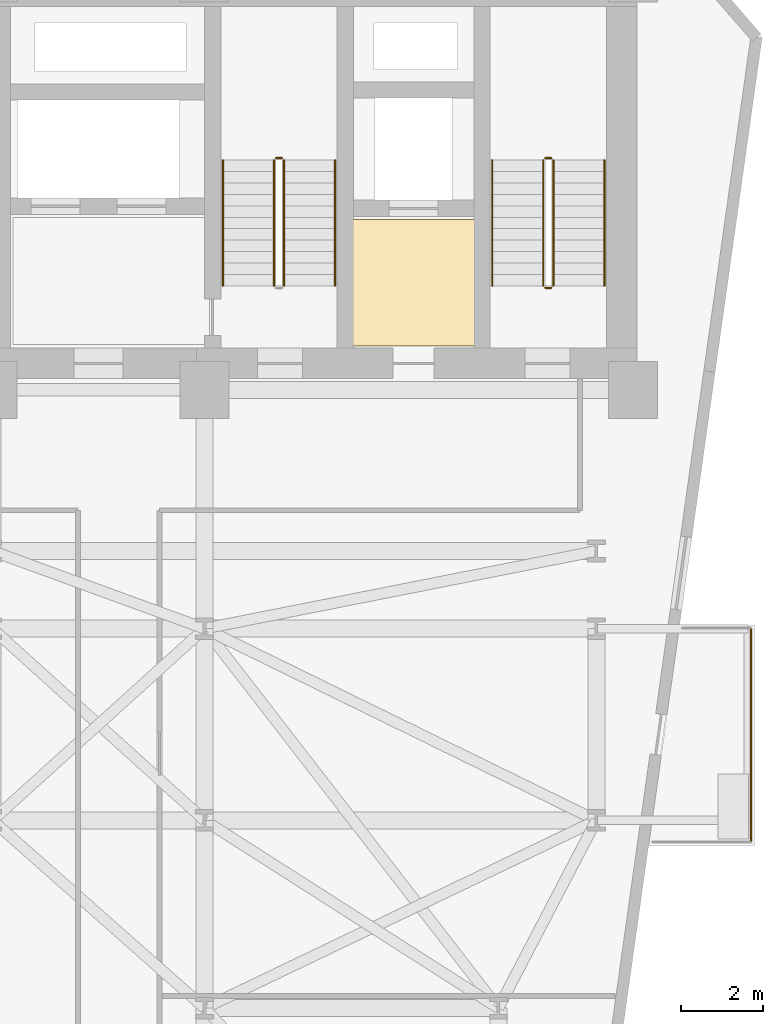
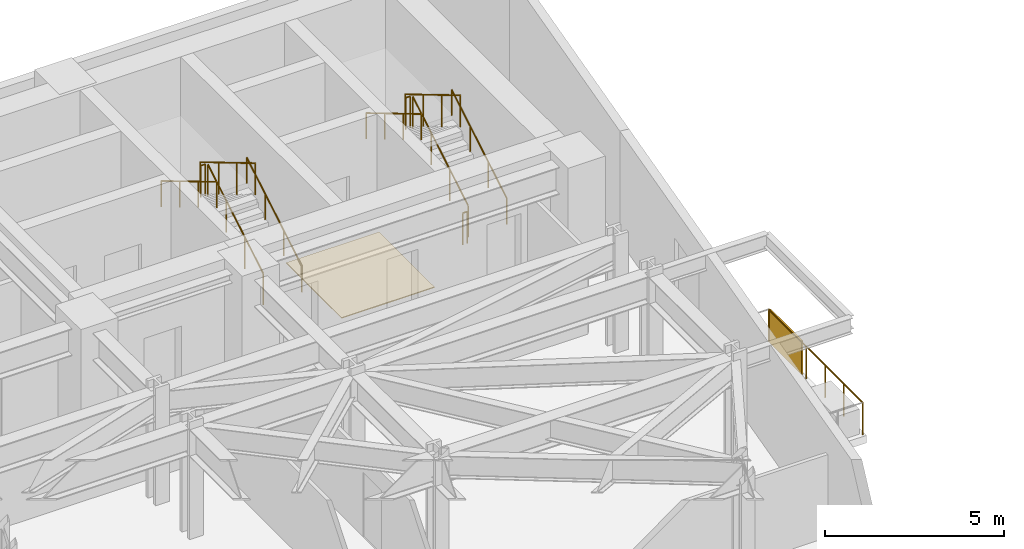
# One storey, part 25 of 25: 12 railings, 1 covering, 1 shading device.
"""IFC4 building model written with IfcOpenShell, lengths in metres."""

import ifcopenshell
import ifcopenshell.guid

model = None  # the IFC model being written
_history = None  # IfcOwnerHistory: only IFC2X3 demands one
_inside = {}  # id of a spatial element -> (the spatial element, [elements in it])
_under = {}  # id of a project, library or spatial element -> (it, [spatial elements below it])
_declared = {}  # id of a project -> (the project, [libraries it declares])
_typed = {}  # id of a type object -> (the type object, [elements of that type])
_made_of = {}  # id of a material, layer set ... -> (it, [elements and type objects made of it])


def new_model(schema):
    """Start an empty IFC model of exactly this schema.

    Asked for "IFC4X3", IfcOpenShell would pick the latest addendum, in which some entities
    have other attributes; the version numbers below select the first issue.
    IFC2X3 requires an IfcOwnerHistory on every rooted entity: one is made here for all.
    """
    global model, _history
    if schema == "IFC4X3":
        model = ifcopenshell.file(schema_version=(4, 3, 0, 0))
    else:
        model = ifcopenshell.file(schema=schema)
    _inside.clear()
    _under.clear()
    _declared.clear()
    _typed.clear()
    _made_of.clear()
    _history = None
    if model.schema == "IFC2X3":
        org = make("IfcOrganization", Name="unknown")
        user = make(
            "IfcPersonAndOrganization",
            ThePerson=make("IfcPerson", FamilyName="unknown"),
            TheOrganization=org,
        )
        app = make(
            "IfcApplication",
            ApplicationDeveloper=org,
            Version="unknown",
            ApplicationFullName="unknown",
            ApplicationIdentifier="unknown",
        )
        _history = make(
            "IfcOwnerHistory",
            OwningUser=user,
            OwningApplication=app,
            ChangeAction="ADDED",
            CreationDate=0,
        )
    return model


def make(cls, **values):
    """One entity of the class cls with the attributes given. An attribute that is None is left unset."""
    return model.create_entity(
        cls, **{name: value for name, value in values.items() if value is not None}
    )


def rooted(cls, **values):
    """An entity with a GlobalId (a new one), such as an element, a storey or a relation."""
    return make(cls, GlobalId=ifcopenshell.guid.new(), OwnerHistory=_history, **values)


def si_unit(unit_type, name, prefix=None):
    """IfcSIUnit, for example si_unit("LENGTHUNIT", "METRE", prefix="MILLI")."""
    return make("IfcSIUnit", UnitType=unit_type, Prefix=prefix, Name=name)


def assignment(units):
    """IfcUnitAssignment: the units of a project."""
    return None if units is None else make("IfcUnitAssignment", Units=units)


def point(xyz):
    """IfcCartesianPoint."""
    return None if xyz is None else make("IfcCartesianPoint", Coordinates=xyz)


def direction(xyz):
    """IfcDirection."""
    return None if xyz is None else make("IfcDirection", DirectionRatios=xyz)


def frame(location, z_axis=None, x_axis=None):
    """IfcAxis2Placement3D, a coordinate frame: its origin and axes. An axis left out is left unset."""
    return make(
        "IfcAxis2Placement3D",
        Location=point(location),
        Axis=direction(z_axis),
        RefDirection=direction(x_axis),
    )


def frame_2d(location, x_axis=None):
    """IfcAxis2Placement2D, a coordinate frame in the plane: its origin and x axis."""
    return make(
        "IfcAxis2Placement2D", Location=point(location), RefDirection=direction(x_axis)
    )


def origin():
    """The frame at (0, 0, 0) with its axes left unset."""
    return frame((0.0, 0.0, 0.0))


def origin_2d():
    """The frame at (0, 0) in the plane with its x axis left unset."""
    return frame_2d((0.0, 0.0))


def place(relative_to, where):
    """IfcLocalPlacement: puts the frame where relative to a parent placement (None: the world)."""
    return make(
        "IfcLocalPlacement", PlacementRelTo=relative_to, RelativePlacement=where
    )


def context(
    kind, dimensions, precision=None, world=None, true_north=None, identifier=None
):
    """IfcGeometricRepresentationContext, for example the 3D "Model" context."""
    return make(
        "IfcGeometricRepresentationContext",
        ContextIdentifier=identifier,
        ContextType=kind,
        CoordinateSpaceDimension=dimensions,
        Precision=precision,
        WorldCoordinateSystem=world,
        TrueNorth=true_north,
    )


def subcontext(parent, identifier, kind, view, scale=None):
    """IfcGeometricRepresentationSubContext, for example "Body" below "Model"."""
    return make(
        "IfcGeometricRepresentationSubContext",
        ContextIdentifier=identifier,
        ContextType=kind,
        ParentContext=parent,
        TargetScale=scale,
        TargetView=view,
    )


def project(units=None, contexts=None):
    """IfcProject with its units and contexts."""
    return rooted(
        "IfcProject",
        Name="project",
        RepresentationContexts=contexts,
        UnitsInContext=assignment(units),
    )


def spatial(cls, under=None, at=None, **own):
    """A site, building, storey or space (cls), placed at a placement, below another one or the project."""
    s = rooted(cls, ObjectPlacement=at, **own)
    if under is not None:
        _under.setdefault(under.id(), (under, []))[1].append(s)
    return s


def polyline(points):
    """IfcPolyline through the points."""
    return make("IfcPolyline", Points=[point(p) for p in points])


def profile(cls, at=None, kind="AREA", **sizes):
    """A parametric profile (cls). Its sizes go by their IFC names, for example OverallWidth=200.0."""
    return make(cls, ProfileType=kind, Position=at, **sizes)


def rectangle(**sizes):
    """IfcRectangleProfileDef."""
    return profile("IfcRectangleProfileDef", **sizes)


def circle(**sizes):
    """IfcCircleProfileDef."""
    return profile("IfcCircleProfileDef", **sizes)


def outline(outer, holes=None, kind="AREA"):
    """IfcArbitraryClosedProfileDef: a profile drawn as a closed curve; with holes, ...WithVoids."""
    if holes is None:
        return make("IfcArbitraryClosedProfileDef", ProfileType=kind, OuterCurve=outer)
    return make(
        "IfcArbitraryProfileDefWithVoids",
        ProfileType=kind,
        OuterCurve=outer,
        InnerCurves=holes,
    )


def extrude(swept, where, along, depth):
    """IfcExtrudedAreaSolid: the profile swept, set in the frame where, extruded along a direction by depth."""
    return make(
        "IfcExtrudedAreaSolid",
        SweptArea=swept,
        Position=where,
        ExtrudedDirection=direction(along),
        Depth=depth,
    )


def shape(context_of_items, identifier, shape_type, items):
    """IfcShapeRepresentation: the items that make up one representation, for example the "Body"."""
    return make(
        "IfcShapeRepresentation",
        ContextOfItems=context_of_items,
        RepresentationIdentifier=identifier,
        RepresentationType=shape_type,
        Items=items,
    )


def material(Name=None, Category=None):
    """IfcMaterial."""
    return make("IfcMaterial", Name=Name, Category=Category)


def layer(
    of_material, thickness, ventilated=None, Name=None, Category=None, Priority=None
):
    """IfcMaterialLayer: one layer of a wall or slab, of a material (None: an air gap)."""
    return make(
        "IfcMaterialLayer",
        Material=of_material,
        LayerThickness=thickness,
        IsVentilated=ventilated,
        Name=Name,
        Category=Category,
        Priority=Priority,
    )


def layer_set(layers, Name=None):
    """IfcMaterialLayerSet."""
    return make("IfcMaterialLayerSet", MaterialLayers=layers, LayerSetName=Name)


def made_of(thing, what):
    """Note that an element or type object is made of a material, layer set ...; save() writes the relation."""
    if what is not None:
        _made_of.setdefault(what.id(), (what, []))[1].append(thing)
    return thing


def type_object(cls, material=None, **own):
    """A type object (cls), such as IfcWallType, which elements share."""
    return made_of(rooted(cls, **own), material)


def element(
    cls,
    number,
    at=None,
    inside=None,
    cuts=None,
    type_object=None,
    material=None,
    context=None,
    identifier="Body",
    shape_type=None,
    held_by="IfcProductDefinitionShape",
    body=None,
    shapes=None,
    **own,
):
    """One element of the class cls, such as IfcWall. Its Tag is "e" and its number.

    at: its placement. inside: the storey or other place that contains it. cuts: it is an
    opening in that element (IfcRelVoidsElement). A single representation is given by context,
    identifier, shape_type and body (its items); several are given by shapes. held_by: the class
    of the entity that holds the representations. save() writes the other relations.
    """
    e = rooted(cls, Tag="e%d" % number, ObjectPlacement=at, **own)
    if body is not None:
        shapes = [shape(context, identifier, shape_type, body)]
    if shapes is not None:
        e.Representation = make(held_by, Representations=shapes)
    if inside is not None:
        _inside.setdefault(inside.id(), (inside, []))[1].append(e)
    if cuts is not None:
        rooted(
            "IfcRelVoidsElement", RelatingBuildingElement=cuts, RelatedOpeningElement=e
        )
    if type_object is not None:
        _typed.setdefault(type_object.id(), (type_object, []))[1].append(e)
    return made_of(e, material)


def aggregate(whole, parts):
    """IfcRelAggregates: a whole, such as a stair, and the parts it consists of."""
    return rooted("IfcRelAggregates", RelatingObject=whole, RelatedObjects=parts)


def save(model, path):
    """Write the relations noted so far, then the file.

    IfcRelAggregates (storeys below a building ...), IfcRelContainedInSpatialStructure (elements
    in a storey), IfcRelDefinesByType, IfcRelAssociatesMaterial and IfcRelDeclares: one each for
    every whole, place, type object, material and project.
    """
    for whole, parts in _under.values():
        aggregate(whole, parts)
    for where, things in _inside.values():
        rooted(
            "IfcRelContainedInSpatialStructure",
            RelatedElements=things,
            RelatingStructure=where,
        )
    for kind, things in _typed.values():
        rooted("IfcRelDefinesByType", RelatedObjects=things, RelatingType=kind)
    for what, things in _made_of.values():
        rooted("IfcRelAssociatesMaterial", RelatedObjects=things, RelatingMaterial=what)
    for by, libraries in _declared.values():
        rooted("IfcRelDeclares", RelatingContext=by, RelatedDefinitions=libraries)
    model.write(path)


model = new_model("IFC4")

# Units and contexts
model_context = context("Model", 3, precision=1e-05, world=origin(), true_north=direction((0.0, 1.0)))
body_context = subcontext(model_context, "Body", "Model", "MODEL_VIEW")
ifc_project = project(units=[si_unit("LENGTHUNIT", "METRE"), si_unit("AREAUNIT", "SQUARE_METRE"), si_unit("VOLUMEUNIT", "CUBIC_METRE"), si_unit("PLANEANGLEUNIT", "RADIAN"), si_unit("MASSUNIT", "GRAM", prefix="KILO")], contexts=[model_context])

# Site, building, storey
site_placement = place(None, origin())
site = spatial("IfcSite", under=ifc_project, at=site_placement, CompositionType="ELEMENT")
building_placement = place(site_placement, origin())
building = spatial("IfcBuilding", under=site, at=building_placement, Name="Kravanh Interchange Tower", CompositionType="ELEMENT")
storey_placement = place(building_placement, frame((0.0, 0.0, 33.5)))
storey = spatial("IfcBuildingStorey", under=building, at=storey_placement, Name="L07", CompositionType="ELEMENT", Elevation=33.5)

# Covering
ifc_material_1 = material(Name="Cementitious Terrazzo Tile")
ifc_layer_1 = layer(ifc_material_1, 0.030029296875)
ifc_layer_set_1 = layer_set([ifc_layer_1], Name="Honed Terrazzo Lobby Flooring 30mm")
covering_type = type_object("IfcCoveringType", Name="Honed Terrazzo Lobby Flooring 30mm", PredefinedType="FLOORING", material=ifc_layer_set_1)
covering_placement = place(storey_placement, origin())
element("IfcCovering", 1, at=covering_placement, inside=storey, type_object=covering_type, Name="L07 Service Lift Lobby Floor Finish", PredefinedType="FLOORING", context=body_context, shape_type="SweptSolid", body=[
    extrude(outline(polyline([(59.6298828125, 41.52001953125), (62.6201171875, 41.52001953125), (62.6201171875, 38.429931640625), (59.6298828125, 38.429931640625), (59.6298828125, 41.52001953125)])), origin(), (0.0, 0.0, 1.0), 0.030029296875),
])

# Shading device
ifc_material_2 = material(Name="Perforated Anodised Bronze Aluminium", Category="aluminium")
ifc_layer_2 = layer(ifc_material_2, 0.0400390625)
ifc_layer_set_2 = layer_set([ifc_layer_2], Name="Perforated Bronze Balcony Privacy Screen 1150mm")
shading_device_type = type_object("IfcShadingDeviceType", Name="Perforated Bronze Balcony Privacy Screen 1150mm", PredefinedType="USERDEFINED", material=ifc_layer_set_2)
shading_device_placement = place(storey_placement, frame((69.39306640625, 30.5400390625, 0.0), z_axis=(0.0, 0.0, 1.0), x_axis=(1.0, 0.0, 0.0)))
element("IfcShadingDevice", 2, at=shading_device_placement, inside=storey, type_object=shading_device_type, Name="L07 E Perforated Bronze BALCONY SCREEN", ObjectType="SCREEN", PredefinedType="USERDEFINED", context=body_context, shape_type="SweptSolid", body=[
    extrude(rectangle(XDim=0.0400390625, YDim=1.800048828125, at=origin_2d()), origin(), (0.0, 0.0, 1.0), 1.14990234375),
])

# Railings
ifc_material_3 = material(Name="Stainless Steel 316", Category="steel")
ifc_layer_3 = layer(ifc_material_3, 0.06005859375)
ifc_layer_set_3 = layer_set([ifc_layer_3], Name="Perimeter Balcony and Terrace Guardrail Stainless 316 1120mm")
railing_type_1 = type_object("IfcRailingType", Name="Perimeter Balcony and Terrace Guardrail Stainless 316 1120mm", PredefinedType="GUARDRAIL", material=ifc_layer_set_3)
railing_1_placement = place(storey_placement, frame((69.39306640625, 31.510009765625, 0.0)))
element("IfcRailing", 3, at=railing_1_placement, inside=storey, type_object=railing_type_1, Name="L07 E Balcony Guardrail 1", PredefinedType="GUARDRAIL", context=body_context, shape_type="SweptSolid", body=[
    extrude(circle(Radius=0.02392578125, at=origin_2d()), frame((0.0, 0.0, 1.09619140625), z_axis=(0.0, -1.0, 0.0), x_axis=(1.0, 0.0, 0.0)), (0.0, 0.0, 1.0), 5.239990234375),
    extrude(circle(Radius=0.02099609375, at=origin_2d()), origin(), (0.0, 0.0, 1.0), 1.072021484375),
    extrude(circle(Radius=0.02099609375, at=origin_2d()), frame((0.0, -1.048095703125, 0.0)), (0.0, 0.0, 1.0), 1.072021484375),
    extrude(circle(Radius=0.02099609375, at=origin_2d()), frame((0.0, -2.095947265625, 0.0)), (0.0, 0.0, 1.0), 1.072021484375),
    extrude(circle(Radius=0.02099609375, at=origin_2d()), frame((0.0, -3.14404296875, 0.0)), (0.0, 0.0, 1.0), 1.072021484375),
    extrude(circle(Radius=0.02099609375, at=origin_2d()), frame((0.0, -4.19189453125, 0.0)), (0.0, 0.0, 1.0), 1.072021484375),
    extrude(circle(Radius=0.02099609375, at=origin_2d()), frame((0.0, -5.239990234375, 0.0)), (0.0, 0.0, 1.0), 1.072021484375),
])
ifc_material_4 = material(Name="Structural Steel S355", Category="steel")
ifc_layer_4 = layer(ifc_material_4, 0.050048828125)
ifc_layer_set_4 = layer_set([ifc_layer_4], Name="Stair Well Guardrail Structural Steel S355 1100mm")
railing_type_2 = type_object("IfcRailingType", Name="Stair Well Guardrail Structural Steel S355 1100mm", PredefinedType="GUARDRAIL", material=ifc_layer_set_4)
railing_2_placement = place(storey_placement, frame((64.550048828125, 39.89990234375, 0.166748046875)))
element("IfcRailing", 4, at=railing_2_placement, inside=storey, type_object=railing_type_2, Name="L07 ST1 stair guard 1", PredefinedType="GUARDRAIL", context=body_context, shape_type="SweptSolid", body=[
    extrude(circle(Radius=0.02392578125, at=origin_2d()), frame((0.0, 0.0, 1.076171875), z_axis=(0.0, 0.859308565015, 0.511457515432), x_axis=(-1.0, 0.0, 0.0)), (0.0, 0.0, 1.0), 3.58447265625),
    extrude(circle(Radius=0.02099609375, at=origin_2d()), origin(), (0.0, 0.0, 1.0), 1.052001953125),
    extrude(circle(Radius=0.02099609375, at=origin_2d()), frame((0.0, 1.026611328125, 0.611083984375)), (0.0, 0.0, 1.0), 1.052001953125),
    extrude(circle(Radius=0.02099609375, at=origin_2d()), frame((0.0, 2.053466796875, 1.22216796875)), (0.0, 0.0, 1.0), 1.052001953125),
    extrude(circle(Radius=0.02099609375, at=origin_2d()), frame((0.0, 3.080078125, 1.833251953125)), (0.0, 0.0, 1.0), 1.052001953125),
])
railing_3_placement = place(storey_placement, frame((64.5, 43.030029296875, 2.0)))
element("IfcRailing", 5, at=railing_3_placement, inside=storey, type_object=railing_type_2, Name="L07 ST1 stair guard 2", PredefinedType="GUARDRAIL", context=body_context, shape_type="SweptSolid", body=[
    extrude(circle(Radius=0.02392578125, at=origin_2d()), frame((0.0, 0.0, 1.076171875), z_axis=(-1.0, 0.0, 0.0), x_axis=(0.0, -1.0, 0.0)), (0.0, 0.0, 1.0), 0.14990234375),
    extrude(circle(Radius=0.02099609375, at=origin_2d()), origin(), (0.0, 0.0, 1.0), 1.052001953125),
    extrude(circle(Radius=0.02099609375, at=origin_2d()), frame((-0.14990234375, 0.0, 0.0)), (0.0, 0.0, 1.0), 1.052001953125),
])
railing_4_placement = place(storey_placement, frame((64.300048828125, 42.97998046875, 2.166748046875)))
element("IfcRailing", 6, at=railing_4_placement, inside=storey, type_object=railing_type_2, Name="L07 ST1 stair guard 3", PredefinedType="GUARDRAIL", context=body_context, shape_type="SweptSolid", body=[
    extrude(circle(Radius=0.02392578125, at=origin_2d()), frame((0.0, 0.0, 1.076171875), z_axis=(0.0, -0.859308565015, 0.511457515432), x_axis=(1.0, 0.0, 0.0)), (0.0, 0.0, 1.0), 3.58447265625),
    extrude(circle(Radius=0.02099609375, at=origin_2d()), origin(), (0.0, 0.0, 1.0), 1.052001953125),
    extrude(circle(Radius=0.02099609375, at=origin_2d()), frame((0.0, -1.026611328125, 0.611083984375)), (0.0, 0.0, 1.0), 1.052001953125),
    extrude(circle(Radius=0.02099609375, at=origin_2d()), frame((0.0, -2.053466796875, 1.22216796875)), (0.0, 0.0, 1.0), 1.052001953125),
    extrude(circle(Radius=0.02099609375, at=origin_2d()), frame((0.0, -3.080078125, 1.833251953125)), (0.0, 0.0, 1.0), 1.052001953125),
])
railing_5_placement = place(storey_placement, frame((64.5, 39.85009765625, 0.0)))
element("IfcRailing", 7, at=railing_5_placement, inside=storey, type_object=railing_type_2, Name="L07 ST1 stair guard 4", PredefinedType="GUARDRAIL", context=body_context, shape_type="SweptSolid", body=[
    extrude(circle(Radius=0.02392578125, at=origin_2d()), frame((0.0, 0.0, 1.076171875), z_axis=(-1.0, 0.0, 0.0), x_axis=(0.0, -1.0, 0.0)), (0.0, 0.0, 1.0), 0.14990234375),
    extrude(circle(Radius=0.02099609375, at=origin_2d()), origin(), (0.0, 0.0, 1.0), 1.052001953125),
    extrude(circle(Radius=0.02099609375, at=origin_2d()), frame((-0.14990234375, 0.0, 0.0)), (0.0, 0.0, 1.0), 1.052001953125),
])
railing_6_placement = place(storey_placement, frame((57.949951171875, 39.89990234375, 0.166748046875)))
element("IfcRailing", 8, at=railing_6_placement, inside=storey, type_object=railing_type_2, Name="L07 ST2 stair guard 1", PredefinedType="GUARDRAIL", context=body_context, shape_type="SweptSolid", body=[
    extrude(circle(Radius=0.02392578125, at=origin_2d()), frame((0.0, 0.0, 1.076171875), z_axis=(0.0, 0.859308565015, 0.511457515432), x_axis=(-1.0, 0.0, 0.0)), (0.0, 0.0, 1.0), 3.58447265625),
    extrude(circle(Radius=0.02099609375, at=origin_2d()), origin(), (0.0, 0.0, 1.0), 1.052001953125),
    extrude(circle(Radius=0.02099609375, at=origin_2d()), frame((0.0, 1.026611328125, 0.611083984375)), (0.0, 0.0, 1.0), 1.052001953125),
    extrude(circle(Radius=0.02099609375, at=origin_2d()), frame((0.0, 2.053466796875, 1.22216796875)), (0.0, 0.0, 1.0), 1.052001953125),
    extrude(circle(Radius=0.02099609375, at=origin_2d()), frame((0.0, 3.080078125, 1.833251953125)), (0.0, 0.0, 1.0), 1.052001953125),
])
railing_7_placement = place(storey_placement, frame((57.89990234375, 43.030029296875, 2.0)))
element("IfcRailing", 9, at=railing_7_placement, inside=storey, type_object=railing_type_2, Name="L07 ST2 stair guard 2", PredefinedType="GUARDRAIL", context=body_context, shape_type="SweptSolid", body=[
    extrude(circle(Radius=0.02392578125, at=origin_2d()), frame((0.0, 0.0, 1.076171875), z_axis=(-1.0, 0.0, 0.0), x_axis=(0.0, -1.0, 0.0)), (0.0, 0.0, 1.0), 0.14990234375),
    extrude(circle(Radius=0.02099609375, at=origin_2d()), origin(), (0.0, 0.0, 1.0), 1.052001953125),
    extrude(circle(Radius=0.02099609375, at=origin_2d()), frame((-0.14990234375, 0.0, 0.0)), (0.0, 0.0, 1.0), 1.052001953125),
])
railing_8_placement = place(storey_placement, frame((57.699951171875, 42.97998046875, 2.166748046875)))
element("IfcRailing", 10, at=railing_8_placement, inside=storey, type_object=railing_type_2, Name="L07 ST2 stair guard 3", PredefinedType="GUARDRAIL", context=body_context, shape_type="SweptSolid", body=[
    extrude(circle(Radius=0.02392578125, at=origin_2d()), frame((0.0, 0.0, 1.076171875), z_axis=(0.0, -0.859308565015, 0.511457515432), x_axis=(1.0, 0.0, 0.0)), (0.0, 0.0, 1.0), 3.58447265625),
    extrude(circle(Radius=0.02099609375, at=origin_2d()), origin(), (0.0, 0.0, 1.0), 1.052001953125),
    extrude(circle(Radius=0.02099609375, at=origin_2d()), frame((0.0, -1.026611328125, 0.611083984375)), (0.0, 0.0, 1.0), 1.052001953125),
    extrude(circle(Radius=0.02099609375, at=origin_2d()), frame((0.0, -2.053466796875, 1.22216796875)), (0.0, 0.0, 1.0), 1.052001953125),
    extrude(circle(Radius=0.02099609375, at=origin_2d()), frame((0.0, -3.080078125, 1.833251953125)), (0.0, 0.0, 1.0), 1.052001953125),
])
ifc_material_5 = material(Name="Stainless Steel 304", Category="steel")
ifc_layer_5 = layer(ifc_material_5, 0.044921875)
ifc_layer_set_5 = layer_set([ifc_layer_5], Name="Tubular Stair Handrail Stainless 304 900mm")
railing_type_3 = type_object("IfcRailingType", Name="Tubular Stair Handrail Stainless 304 900mm", PredefinedType="HANDRAIL", material=ifc_layer_set_5)
railing_9_placement = place(storey_placement, frame((65.800048828125, 39.89990234375, 0.166748046875)))
element("IfcRailing", 11, at=railing_9_placement, inside=storey, type_object=railing_type_3, Name="L07 ST1 stair handrail 1", PredefinedType="HANDRAIL", context=body_context, shape_type="SweptSolid", body=[
    extrude(circle(Radius=0.02392578125, at=origin_2d()), frame((0.0, 0.0, 0.8759765625), z_axis=(0.0, 0.859308565015, 0.511457515432), x_axis=(-1.0, 0.0, 0.0)), (0.0, 0.0, 1.0), 3.58447265625),
    extrude(circle(Radius=0.02099609375, at=origin_2d()), origin(), (0.0, 0.0, 1.0), 0.851806640625),
    extrude(circle(Radius=0.02099609375, at=origin_2d()), frame((0.0, 1.026611328125, 0.611083984375)), (0.0, 0.0, 1.0), 0.851806640625),
    extrude(circle(Radius=0.02099609375, at=origin_2d()), frame((0.0, 2.053466796875, 1.22216796875)), (0.0, 0.0, 1.0), 0.851806640625),
    extrude(circle(Radius=0.02099609375, at=origin_2d()), frame((0.0, 3.080078125, 1.833251953125)), (0.0, 0.0, 1.0), 0.851806640625),
])
railing_10_placement = place(storey_placement, frame((63.050048828125, 42.97998046875, 2.166748046875)))
element("IfcRailing", 12, at=railing_10_placement, inside=storey, type_object=railing_type_3, Name="L07 ST1 stair handrail 2", PredefinedType="HANDRAIL", context=body_context, shape_type="SweptSolid", body=[
    extrude(circle(Radius=0.02392578125, at=origin_2d()), frame((0.0, 0.0, 0.8759765625), z_axis=(0.0, -0.859308565015, 0.511457515432), x_axis=(1.0, 0.0, 0.0)), (0.0, 0.0, 1.0), 3.58447265625),
    extrude(circle(Radius=0.02099609375, at=origin_2d()), origin(), (0.0, 0.0, 1.0), 0.851806640625),
    extrude(circle(Radius=0.02099609375, at=origin_2d()), frame((0.0, -1.026611328125, 0.611083984375)), (0.0, 0.0, 1.0), 0.851806640625),
    extrude(circle(Radius=0.02099609375, at=origin_2d()), frame((0.0, -2.053466796875, 1.22216796875)), (0.0, 0.0, 1.0), 0.851806640625),
    extrude(circle(Radius=0.02099609375, at=origin_2d()), frame((0.0, -3.080078125, 1.833251953125)), (0.0, 0.0, 1.0), 0.851806640625),
])
railing_11_placement = place(storey_placement, frame((59.199951171875, 39.89990234375, 0.166748046875)))
element("IfcRailing", 13, at=railing_11_placement, inside=storey, type_object=railing_type_3, Name="L07 ST2 stair handrail 1", PredefinedType="HANDRAIL", context=body_context, shape_type="SweptSolid", body=[
    extrude(circle(Radius=0.02392578125, at=origin_2d()), frame((0.0, 0.0, 0.8759765625), z_axis=(0.0, 0.859308565015, 0.511457515432), x_axis=(-1.0, 0.0, 0.0)), (0.0, 0.0, 1.0), 3.58447265625),
    extrude(circle(Radius=0.02099609375, at=origin_2d()), origin(), (0.0, 0.0, 1.0), 0.851806640625),
    extrude(circle(Radius=0.02099609375, at=origin_2d()), frame((0.0, 1.026611328125, 0.611083984375)), (0.0, 0.0, 1.0), 0.851806640625),
    extrude(circle(Radius=0.02099609375, at=origin_2d()), frame((0.0, 2.053466796875, 1.22216796875)), (0.0, 0.0, 1.0), 0.851806640625),
    extrude(circle(Radius=0.02099609375, at=origin_2d()), frame((0.0, 3.080078125, 1.833251953125)), (0.0, 0.0, 1.0), 0.851806640625),
])
railing_12_placement = place(storey_placement, frame((56.449951171875, 42.97998046875, 2.166748046875)))
element("IfcRailing", 14, at=railing_12_placement, inside=storey, type_object=railing_type_3, Name="L07 ST2 stair handrail 2", PredefinedType="HANDRAIL", context=body_context, shape_type="SweptSolid", body=[
    extrude(circle(Radius=0.02392578125, at=origin_2d()), frame((0.0, 0.0, 0.8759765625), z_axis=(0.0, -0.859308565015, 0.511457515432), x_axis=(1.0, 0.0, 0.0)), (0.0, 0.0, 1.0), 3.58447265625),
    extrude(circle(Radius=0.02099609375, at=origin_2d()), origin(), (0.0, 0.0, 1.0), 0.851806640625),
    extrude(circle(Radius=0.02099609375, at=origin_2d()), frame((0.0, -1.026611328125, 0.611083984375)), (0.0, 0.0, 1.0), 0.851806640625),
    extrude(circle(Radius=0.02099609375, at=origin_2d()), frame((0.0, -2.053466796875, 1.22216796875)), (0.0, 0.0, 1.0), 0.851806640625),
    extrude(circle(Radius=0.02099609375, at=origin_2d()), frame((0.0, -3.080078125, 1.833251953125)), (0.0, 0.0, 1.0), 0.851806640625),
])

save(model, "model.ifc")
